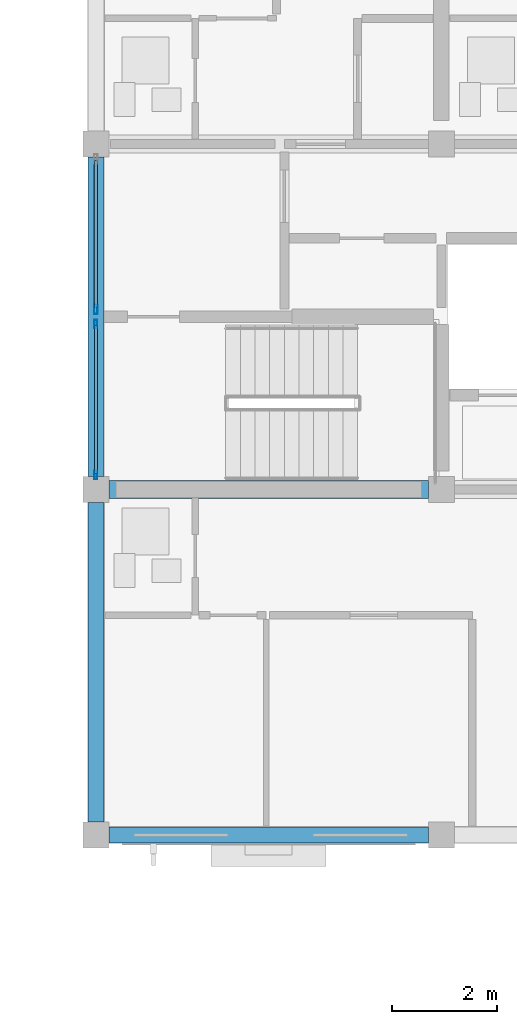
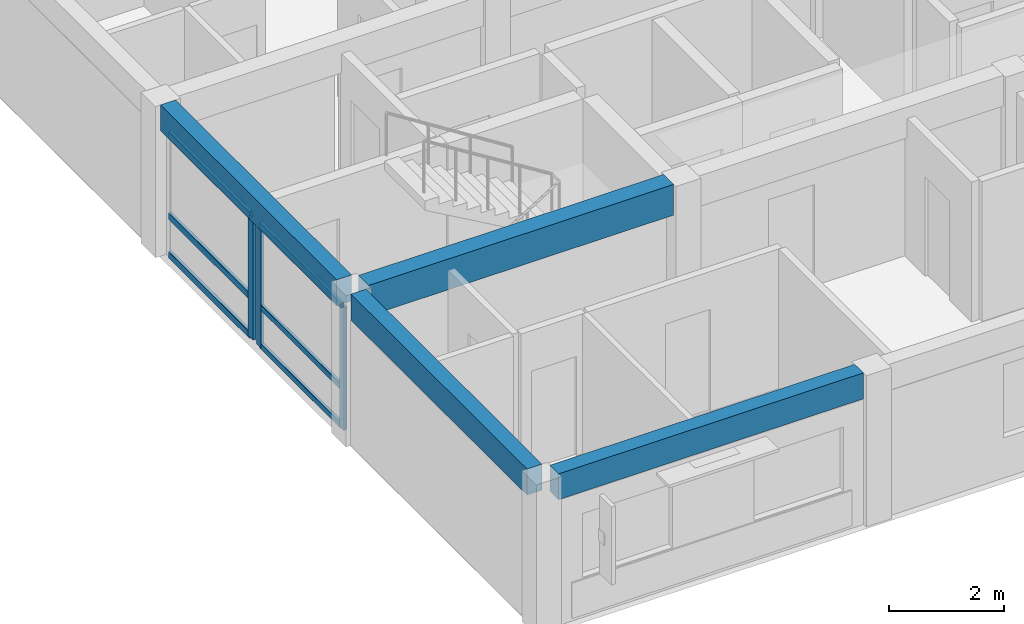
# One storey, part 19 of 53: 9 members, 4 beams, 2 elements without a shape of their own.
"""IFC4 building model written with IfcOpenShell, lengths in metres."""

from ifc_helpers import new_model, si_unit, direction, frame, origin, origin_2d, place, context, subcontext, project, spatial, rectangle, hollow_rectangle, extrude, material, material_profile, profile_set, type_object, element, aggregate, save


model = new_model("IFC4")

# Units and contexts
model_context = context("Model", 3, precision=1e-05, world=origin(), true_north=direction((0.0, 1.0)))
body_context = subcontext(model_context, "Body", "Model", "MODEL_VIEW")
ifc_project = project(units=[si_unit("LENGTHUNIT", "METRE"), si_unit("AREAUNIT", "SQUARE_METRE"), si_unit("VOLUMEUNIT", "CUBIC_METRE"), si_unit("PLANEANGLEUNIT", "RADIAN"), si_unit("MASSUNIT", "GRAM", prefix="KILO")], contexts=[model_context])

# Site, building, storey
site_placement = place(None, origin())
site = spatial("IfcSite", under=ifc_project, at=site_placement, CompositionType="ELEMENT")
building_placement = place(site_placement, origin())
building = spatial("IfcBuilding", under=site, at=building_placement, Name="Kernevlak Ridge Housing Community", CompositionType="ELEMENT")
storey_placement = place(building_placement, frame((0.0, 0.0, 18.0)))
storey = spatial("IfcBuildingStorey", under=building, at=storey_placement, Name="L05", CompositionType="ELEMENT", Elevation=18.0)

# Beam
ifc_material_1 = material(Name="Concrete C35/45", Category="concrete")
ifc_material_profile_1 = material_profile(ifc_material_1, rectangle(XDim=0.35009765625, YDim=0.64990234375, at=origin_2d()), Name="RC 350x650")
ifc_profile_set_1 = profile_set([ifc_material_profile_1], Name="Concrete C35/45")
beam_type_1 = type_object("IfcBeamType", Name="B-02", PredefinedType="BEAM", material=ifc_profile_set_1)
beam_1_placement = place(storey_placement, frame((119.64990234375, 89.199951171875, 2.875), z_axis=(1.0, 0.0, 0.0), x_axis=(0.0, 1.0, 0.0)))
element("IfcBeam", 1, at=beam_1_placement, inside=storey, type_object=beam_type_1, Name="Beam B-02 L05 712", PredefinedType="BEAM", context=body_context, shape_type="SweptSolid", body=[
    extrude(rectangle(XDim=0.35009765625, YDim=0.64990234375, at=origin_2d()), origin(), (0.0, 0.0, 1.0), 6.10009765625),
])

# Curtain wall, members
ifc_material_2 = material(Name="Aluminium EN AW-6060 anodised and laminated glass", Category="aluminium")
curtain_wall_type_1 = type_object("IfcCurtainWallType", Name="CW-04", PredefinedType="NOTDEFINED", material=ifc_material_2)
curtain_wall_1_placement = place(storey_placement, origin())
curtain_wall_1 = element("IfcCurtainWall", 2, at=curtain_wall_1_placement, inside=storey, type_object=curtain_wall_type_1, Name="Curtain wall CW-04 CW-L05-070", PredefinedType="NOTDEFINED")
ifc_material_3 = material(Name="Aluminium EN AW-6060 anodised", Category="aluminium")
ifc_material_profile_2 = material_profile(ifc_material_3, hollow_rectangle(XDim=0.06005859375, YDim=0.159912109375, WallThickness=0.00390625, InnerFilletRadius=0.001953125, OuterFilletRadius=0.00390625, at=origin_2d()), Name="ALU 60x160x4")
ifc_profile_set_2 = profile_set([ifc_material_profile_2], Name="Aluminium EN AW-6060 anodised")
member_type_1 = type_object("IfcMemberType", Name="MU-02", PredefinedType="MULLION", material=ifc_profile_set_2)
member_1_placement = place(storey_placement, frame((119.39990234375, 89.47998046875, 0.0), z_axis=(0.0, 0.0, 1.0), x_axis=(-1.0, 0.0, 0.0)))
member_1 = element("IfcMember", 3, at=member_1_placement, type_object=member_type_1, Name="CW-04 mullion 1", PredefinedType="MULLION", context=body_context, shape_type="SweptSolid", body=[
    extrude(hollow_rectangle(XDim=0.06005859375, YDim=0.159912109375, WallThickness=0.00390625, InnerFilletRadius=0.001953125, OuterFilletRadius=0.00390625, at=origin_2d()), origin(), (0.0, 0.0, 1.0), 2.60009765625),
])
member_2_placement = place(storey_placement, frame((119.39990234375, 92.360107421875, 0.0), z_axis=(0.0, 0.0, 1.0), x_axis=(-1.0, 0.0, 0.0)))
member_2 = element("IfcMember", 4, at=member_2_placement, type_object=member_type_1, Name="CW-04 mullion 2", PredefinedType="MULLION", context=body_context, shape_type="SweptSolid", body=[
    extrude(hollow_rectangle(XDim=0.06005859375, YDim=0.159912109375, WallThickness=0.00390625, InnerFilletRadius=0.001953125, OuterFilletRadius=0.00390625, at=origin_2d()), origin(), (0.0, 0.0, 1.0), 2.60009765625),
])

# Curtain wall, member
curtain_wall_type_2 = type_object("IfcCurtainWallType", Name="CW-09", PredefinedType="NOTDEFINED", material=ifc_material_2)
curtain_wall_2_placement = place(storey_placement, origin())
curtain_wall_2 = element("IfcCurtainWall", 5, at=curtain_wall_2_placement, inside=storey, type_object=curtain_wall_type_2, Name="Curtain wall CW-09 CW-L05-071", PredefinedType="NOTDEFINED")
ifc_material_profile_3 = material_profile(ifc_material_3, hollow_rectangle(XDim=0.06494140625, YDim=0.179931640625, WallThickness=0.00439453125, InnerFilletRadius=0.001953125, OuterFilletRadius=0.00439453125, at=origin_2d()), Name="ALU 65x180x4.5")
ifc_profile_set_3 = profile_set([ifc_material_profile_3], Name="Aluminium EN AW-6060 anodised")
member_type_2 = type_object("IfcMemberType", Name="MU-03", PredefinedType="MULLION", material=ifc_profile_set_3)
member_3_placement = place(storey_placement, frame((119.39990234375, 92.642578125, 0.0), z_axis=(0.0, 0.0, 1.0), x_axis=(-1.0, 0.0, 0.0)))
member_3 = element("IfcMember", 6, at=member_3_placement, type_object=member_type_2, Name="CW-09 mullion 1", PredefinedType="MULLION", context=body_context, shape_type="SweptSolid", body=[
    extrude(hollow_rectangle(XDim=0.06494140625, YDim=0.179931640625, WallThickness=0.00439453125, InnerFilletRadius=0.001953125, OuterFilletRadius=0.00439453125, at=origin_2d()), origin(), (0.0, 0.0, 1.0), 2.60009765625),
])

# Beams
ifc_material_profile_4 = material_profile(ifc_material_1, rectangle(XDim=0.300048828125, YDim=0.550048828125, at=origin_2d()), Name="RC 300x550")
ifc_profile_set_4 = profile_set([ifc_material_profile_4], Name="Concrete C35/45")
beam_type_2 = type_object("IfcBeamType", Name="SP-01", PredefinedType="SPANDREL", material=ifc_profile_set_4)
beam_2_placement = place(storey_placement, frame((119.64990234375, 82.60009765625, 2.925048828125), z_axis=(1.0, 0.0, 0.0), x_axis=(0.0, 1.0, 0.0)))
element("IfcBeam", 7, at=beam_2_placement, inside=storey, type_object=beam_type_2, Name="Beam SP-01 L05 707", PredefinedType="SPANDREL", context=body_context, shape_type="SweptSolid", body=[
    extrude(rectangle(XDim=0.300048828125, YDim=0.550048828125, at=origin_2d()), origin(), (0.0, 0.0, 1.0), 6.10009765625),
])
beam_3_placement = place(storey_placement, frame((119.39990234375, 82.85009765625, 2.925048828125), z_axis=(0.0, 1.0, 0.0), x_axis=(-1.0, 0.0, 0.0)))
element("IfcBeam", 8, at=beam_3_placement, inside=storey, type_object=beam_type_2, Name="Beam SP-01 L05 727", PredefinedType="SPANDREL", context=body_context, shape_type="SweptSolid", body=[
    extrude(rectangle(XDim=0.300048828125, YDim=0.550048828125, at=origin_2d()), origin(), (0.0, 0.0, 1.0), 6.099853515625),
])
beam_4_placement = place(storey_placement, frame((119.39990234375, 89.449951171875, 2.925048828125), z_axis=(0.0, 1.0, 0.0), x_axis=(-1.0, 0.0, 0.0)))
element("IfcBeam", 9, at=beam_4_placement, inside=storey, type_object=beam_type_2, Name="Beam SP-01 L05 728", PredefinedType="SPANDREL", context=body_context, shape_type="SweptSolid", body=[
    extrude(rectangle(XDim=0.300048828125, YDim=0.550048828125, at=origin_2d()), origin(), (0.0, 0.0, 1.0), 6.10009765625),
])

# Member
ifc_material_profile_5 = material_profile(ifc_material_3, hollow_rectangle(XDim=0.06005859375, YDim=0.1201171875, WallThickness=0.00390625, InnerFilletRadius=0.001953125, OuterFilletRadius=0.00390625, at=origin_2d()), Name="ALU 60x120x4")
ifc_profile_set_5 = profile_set([ifc_material_profile_5], Name="Aluminium EN AW-6060 anodised")
member_type_3 = type_object("IfcMemberType", Name="TM-02", PredefinedType="USERDEFINED", material=ifc_profile_set_5)
member_4_placement = place(storey_placement, frame((119.39990234375, 89.510009765625, 0.030029296875), z_axis=(0.0, 1.0, 0.0), x_axis=(-1.0, 0.0, 0.0)))
member_4 = element("IfcMember", 10, at=member_4_placement, type_object=member_type_3, Name="CW-04 transom 1.1", ObjectType="TRANSOM", PredefinedType="USERDEFINED", context=body_context, shape_type="SweptSolid", body=[
    extrude(hollow_rectangle(XDim=0.06005859375, YDim=0.1201171875, WallThickness=0.00390625, InnerFilletRadius=0.001953125, OuterFilletRadius=0.00390625, at=origin_2d()), origin(), (0.0, 0.0, 1.0), 2.820068359375),
])

member_5_placement = place(storey_placement, frame((119.39990234375, 89.510009765625, 0.85009765625), z_axis=(0.0, 1.0, 0.0), x_axis=(-1.0, 0.0, 0.0)))
member_5 = element("IfcMember", 11, at=member_5_placement, type_object=member_type_3, Name="CW-04 transom 1.2", ObjectType="TRANSOM", PredefinedType="USERDEFINED", context=body_context, shape_type="SweptSolid", body=[
    extrude(hollow_rectangle(XDim=0.06005859375, YDim=0.1201171875, WallThickness=0.00390625, InnerFilletRadius=0.001953125, OuterFilletRadius=0.00390625, at=origin_2d()), origin(), (0.0, 0.0, 1.0), 2.820068359375),
])

member_6_placement = place(storey_placement, frame((119.39990234375, 89.510009765625, 2.570068359375), z_axis=(0.0, 1.0, 0.0), x_axis=(-1.0, 0.0, 0.0)))
member_6 = element("IfcMember", 12, at=member_6_placement, type_object=member_type_3, Name="CW-04 transom 1.3", ObjectType="TRANSOM", PredefinedType="USERDEFINED", context=body_context, shape_type="SweptSolid", body=[
    extrude(hollow_rectangle(XDim=0.06005859375, YDim=0.1201171875, WallThickness=0.00390625, InnerFilletRadius=0.001953125, OuterFilletRadius=0.00390625, at=origin_2d()), origin(), (0.0, 0.0, 1.0), 2.820068359375),
])

aggregate(curtain_wall_1, [member_1, member_2, member_4, member_5, member_6])

ifc_material_profile_6 = material_profile(ifc_material_3, hollow_rectangle(XDim=0.06494140625, YDim=0.139892578125, WallThickness=0.00390625, InnerFilletRadius=0.001953125, OuterFilletRadius=0.00390625, at=origin_2d()), Name="ALU 65x140x4")
ifc_profile_set_6 = profile_set([ifc_material_profile_6], Name="Aluminium EN AW-6060 anodised")
member_type_4 = type_object("IfcMemberType", Name="TM-03", PredefinedType="USERDEFINED", material=ifc_profile_set_6)
member_7_placement = place(storey_placement, frame((119.39990234375, 92.675048828125, 0.032470703125), z_axis=(0.0, 1.0, 0.0), x_axis=(-1.0, 0.0, 0.0)))
member_7 = element("IfcMember", 13, at=member_7_placement, type_object=member_type_4, Name="CW-09 transom 1.1", ObjectType="TRANSOM", PredefinedType="USERDEFINED", context=body_context, shape_type="SweptSolid", body=[
    extrude(hollow_rectangle(XDim=0.06494140625, YDim=0.139892578125, WallThickness=0.00390625, InnerFilletRadius=0.001953125, OuterFilletRadius=0.00390625, at=origin_2d()), origin(), (0.0, 0.0, 1.0), 2.81005859375),
])

member_8_placement = place(storey_placement, frame((119.39990234375, 92.675048828125, 0.85009765625), z_axis=(0.0, 1.0, 0.0), x_axis=(-1.0, 0.0, 0.0)))
member_8 = element("IfcMember", 14, at=member_8_placement, type_object=member_type_4, Name="CW-09 transom 1.2", ObjectType="TRANSOM", PredefinedType="USERDEFINED", context=body_context, shape_type="SweptSolid", body=[
    extrude(hollow_rectangle(XDim=0.06494140625, YDim=0.139892578125, WallThickness=0.00390625, InnerFilletRadius=0.001953125, OuterFilletRadius=0.00390625, at=origin_2d()), origin(), (0.0, 0.0, 1.0), 2.81005859375),
])

member_9_placement = place(storey_placement, frame((119.39990234375, 92.675048828125, 2.5673828125), z_axis=(0.0, 1.0, 0.0), x_axis=(-1.0, 0.0, 0.0)))
member_9 = element("IfcMember", 15, at=member_9_placement, type_object=member_type_4, Name="CW-09 transom 1.3", ObjectType="TRANSOM", PredefinedType="USERDEFINED", context=body_context, shape_type="SweptSolid", body=[
    extrude(hollow_rectangle(XDim=0.06494140625, YDim=0.139892578125, WallThickness=0.00390625, InnerFilletRadius=0.001953125, OuterFilletRadius=0.00390625, at=origin_2d()), origin(), (0.0, 0.0, 1.0), 2.81005859375),
])

aggregate(curtain_wall_2, [member_3, member_7, member_8, member_9])

save(model, "model.ifc")
